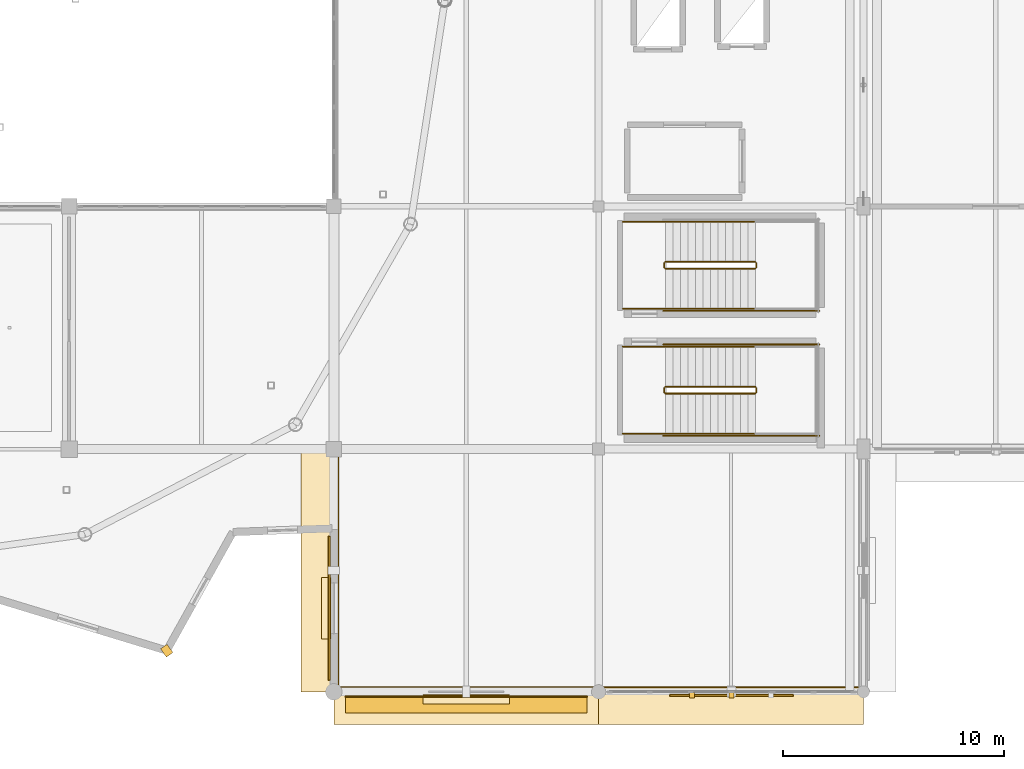
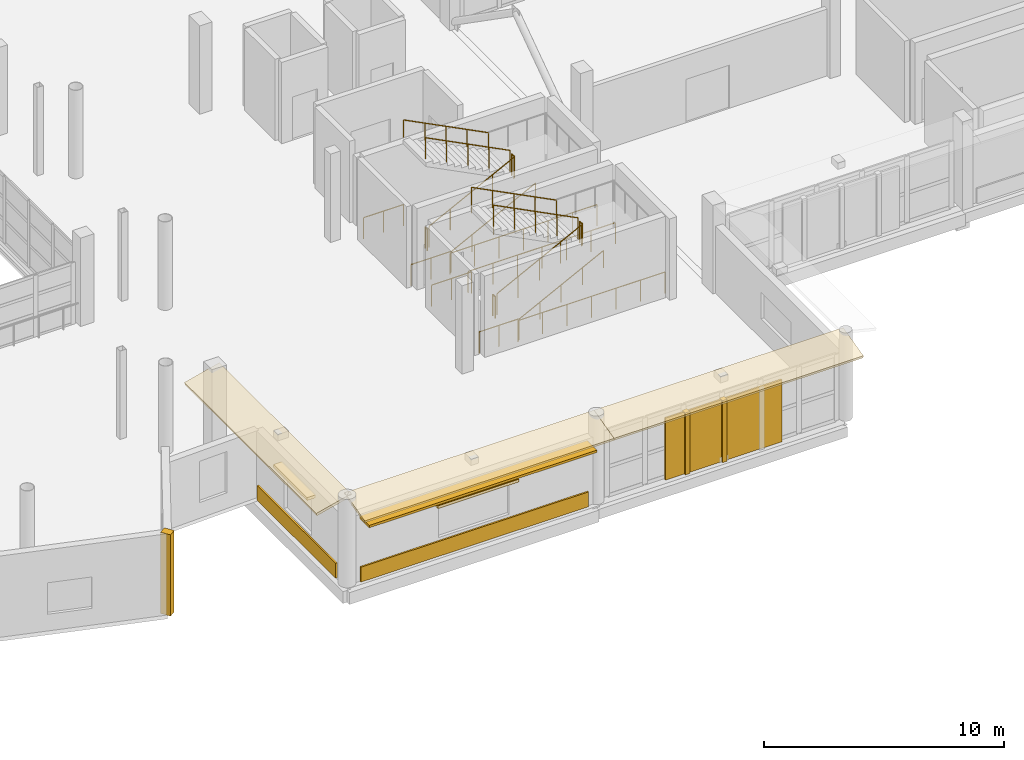
# One storey, part 109 of 118: 19 railings, 10 coverings, 2 shading devices.
"""IFC4 building model written with IfcOpenShell, lengths in metres."""

from ifc_helpers import new_model, si_unit, direction, frame, origin, origin_2d, place, context, subcontext, project, spatial, polyline, rectangle, circle, outline, extrude, material, layer, layer_set, type_object, element, save


model = new_model("IFC4")

# Units and contexts
model_context = context("Model", 3, precision=1e-05, world=origin(), true_north=direction((0.0, 1.0)))
body_context = subcontext(model_context, "Body", "Model", "MODEL_VIEW")
ifc_project = project(units=[si_unit("LENGTHUNIT", "METRE"), si_unit("AREAUNIT", "SQUARE_METRE"), si_unit("VOLUMEUNIT", "CUBIC_METRE"), si_unit("PLANEANGLEUNIT", "RADIAN"), si_unit("MASSUNIT", "GRAM", prefix="KILO")], contexts=[model_context])

# Site, building, storey
site_placement = place(None, origin())
site = spatial("IfcSite", under=ifc_project, at=site_placement, CompositionType="ELEMENT")
building_placement = place(site_placement, origin())
building = spatial("IfcBuilding", under=site, at=building_placement, Name="Luwafu Chhajja Arena", CompositionType="ELEMENT")
storey_placement = place(building_placement, frame((0.0, 0.0, 10.199951171875)))
storey = spatial("IfcBuildingStorey", under=building, at=storey_placement, Name="L02", CompositionType="ELEMENT", Elevation=10.199951171875)

# Coverings
ifc_material_1 = material(Name="Red laterite sandstone cladding", Category="masonry")
ifc_layer_1 = layer(ifc_material_1, 0.074951171875, Name="Red laterite sandstone cladding")
ifc_layer_set_1 = layer_set([ifc_layer_1], Name="Red laterite sandstone cladding")
covering_type = type_object("IfcCoveringType", Name="Dressed Red-Laterite Sandstone Cladding", PredefinedType="CLADDING", material=ifc_layer_set_1)
covering_1_placement = place(storey_placement, frame((132.427490234375, 1.864013671875, 0.0), z_axis=(0.0, 0.0, 1.0), x_axis=(0.574411104334, -0.818566969293, 0.0)))
element("IfcCovering", 1, at=covering_1_placement, inside=storey, type_object=covering_type, Name="L02 Pleated Bowl Sandstone Ridge Fin 28", PredefinedType="CLADDING", context=body_context, shape_type="SweptSolid", body=[
    extrude(rectangle(XDim=0.4599609375, YDim=0.360107421875, at=origin_2d()), origin(), (0.0, 0.0, 1.0), 4.135009765625),
])
covering_2_placement = place(storey_placement, frame((140.0, 0.199951171875, 4.4599609375), z_axis=(0.0, -0.242502450825, 0.970150793096), x_axis=(1.0, 0.0, 0.0)))
element("IfcCovering", 2, at=covering_2_placement, inside=storey, type_object=covering_type, Name="L02 Continuous Sloped Sandstone Chhajja Eave 0159", PredefinedType="CLADDING", context=body_context, shape_type="SweptSolid", body=[
    extrude(outline(polyline([(0.0, 0.0), (12.0, 0.0), (12.0, -1.731619097341133), (0.0, -1.731619097341133), (0.0, 0.0)])), origin(), (0.0, 0.0, -1.0), 0.1298828125),
])
covering_3_placement = place(storey_placement, frame((146.0, -0.2119140625, 0.0), z_axis=(0.0, 0.0, 1.0), x_axis=(1.0, 0.0, 0.0)))
element("IfcCovering", 3, at=covering_3_placement, inside=storey, type_object=covering_type, Name="L02 Red-Laterite Sandstone Plinth Cladding 060", PredefinedType="CLADDING", context=body_context, shape_type="SweptSolid", body=[
    extrude(rectangle(XDim=10.9599609375, YDim=0.0849609375, at=origin_2d()), origin(), (0.0, 0.0, 1.0), 0.760009765625),
])
covering_4_placement = place(storey_placement, frame((146.0, -0.340087890625, 2.68017578125), z_axis=(0.0, 0.0, 1.0), x_axis=(1.0, 0.0, 0.0)))
element("IfcCovering", 4, at=covering_4_placement, inside=storey, type_object=covering_type, Name="L02 Mughal Sandstone Window Chhajja Hood 0058", PredefinedType="CLADDING", context=body_context, shape_type="SweptSolid", body=[
    extrude(rectangle(XDim=3.89990234375, YDim=0.419921875, at=origin_2d()), origin(), (0.0, 0.0, 1.0), 0.139892578125),
])
covering_5_placement = place(storey_placement, frame((140.199951171875, 0.0, 4.4599609375), z_axis=(-0.242502450825, 0.0, 0.970150793096), x_axis=(0.0, 1.0, 0.0)))
element("IfcCovering", 5, at=covering_5_placement, inside=storey, type_object=covering_type, Name="L02 Continuous Sloped Sandstone Chhajja Eave 0160", PredefinedType="CLADDING", context=body_context, shape_type="SweptSolid", body=[
    extrude(outline(polyline([(0.0, 0.0), (11.0, 0.0), (11.0, 1.731619097341133), (0.0, 1.731619097341133), (0.0, 0.0)])), origin(), (0.0, 0.0, -1.0), 0.1298828125),
])
covering_6_placement = place(storey_placement, frame((139.7880859375, 3.7841796875, 0.0), z_axis=(0.0, 0.0, 1.0), x_axis=(0.0, 1.0, 0.0)))
element("IfcCovering", 6, at=covering_6_placement, inside=storey, type_object=covering_type, Name="L02 Red-Laterite Sandstone Plinth Cladding 061", PredefinedType="CLADDING", context=body_context, shape_type="SweptSolid", body=[
    extrude(rectangle(XDim=6.5283203125, YDim=0.0849609375, at=origin_2d()), origin(), (0.0, 0.0, 1.0), 0.760009765625),
])
covering_7_placement = place(storey_placement, frame((139.659912109375, 3.7841796875, 2.93017578125), z_axis=(0.0, 0.0, 1.0), x_axis=(0.0, 1.0, 0.0)))
element("IfcCovering", 7, at=covering_7_placement, inside=storey, type_object=covering_type, Name="L02 Mughal Sandstone Window Chhajja Hood 0059", PredefinedType="CLADDING", context=body_context, shape_type="SweptSolid", body=[
    extrude(rectangle(XDim=2.800048828125, YDim=0.419921875, at=origin_2d()), origin(), (0.0, 0.0, 1.0), 0.139892578125),
])
covering_8_placement = place(storey_placement, frame((152.0, 0.199951171875, 4.4599609375), z_axis=(0.0, -0.242502450825, 0.970150793096), x_axis=(1.0, 0.0, 0.0)))
element("IfcCovering", 8, at=covering_8_placement, inside=storey, type_object=covering_type, Name="L02 Continuous Sloped Sandstone Chhajja Eave 0161", PredefinedType="CLADDING", context=body_context, shape_type="SweptSolid", body=[
    extrude(outline(polyline([(0.0, 0.0), (12.0, 0.0), (12.0, -1.731619097341133), (0.0, -1.731619097341133), (0.0, 0.0)])), origin(), (0.0, 0.0, -1.0), 0.1298828125),
])
for number, where, z_axis, x_axis, name in (
    (9, (156.23291015625, -0.14990234375, 0.0), (0.0, 0.0, 1.0), (1.0, 0.0, 0.0), "L02 Sandstone Jali Mullion Fin 040"),
    (10, (158.02490234375, -0.14990234375, 0.0), (0.0, 0.0, 1.0), (1.0, 0.0, 0.0), "L02 Sandstone Jali Mullion Fin 040"),
):
    element("IfcCovering", number, at=place(storey_placement, frame(where, z_axis=z_axis, x_axis=x_axis)), inside=storey, type_object=covering_type, Name=name, PredefinedType="CLADDING", context=body_context, shape_type="SweptSolid", body=[
        extrude(rectangle(XDim=0.219970703125, YDim=0.239990234375, at=origin_2d()), origin(), (0.0, 0.0, 1.0), 3.155029296875),
    ])

# Shading devices
ifc_material_2 = material(Name="Pierced buff sandstone jali", Category="masonry")
ifc_layer_2 = layer(ifc_material_2, 0.080078125, Name="Pierced buff sandstone jali")
ifc_layer_set_2 = layer_set([ifc_layer_2], Name="Pierced buff sandstone jali")
shading_device_type_1 = type_object("IfcShadingDeviceType", Name="Pierced Buff-Sandstone Jali Screen", PredefinedType="JALOUSIE", material=ifc_layer_set_2)
shading_device_1_placement = place(storey_placement, frame((158.02490234375, -0.14990234375, 0.0), z_axis=(0.0, 0.0, 1.0), x_axis=(1.0, 0.0, 0.0)))
element("IfcShadingDevice", 11, at=shading_device_1_placement, inside=storey, type_object=shading_device_type_1, Name="L02 Pierced Buff-Sandstone Jali Screen 040", PredefinedType="JALOUSIE", context=body_context, shape_type="SweptSolid", body=[
    extrude(rectangle(XDim=5.60009765625, YDim=0.080078125, at=origin_2d()), origin(), (0.0, 0.0, 1.0), 3.155029296875),
])
ifc_material_3 = material(Name="Red laterite sandstone chhajja", Category="masonry")
ifc_layer_3 = layer(ifc_material_3, 0.1201171875, Name="Red laterite sandstone chhajja")
ifc_layer_set_3 = layer_set([ifc_layer_3], Name="Red laterite sandstone chhajja")
shading_device_type_2 = type_object("IfcShadingDeviceType", Name="Sloped Red-Sandstone Chhajja Eave", PredefinedType="USERDEFINED", material=ifc_layer_set_3)
shading_device_2_placement = place(storey_placement, frame((146.0, -0.5400390625, 3.18505859375), z_axis=(0.0, 0.0, 1.0), x_axis=(1.0, 0.0, 0.0)))
element("IfcShadingDevice", 12, at=shading_device_2_placement, inside=storey, type_object=shading_device_type_2, Name="L02 Sloped Red-Sandstone Chhajja Eave 056", ObjectType="CHHAJJA", PredefinedType="USERDEFINED", context=body_context, shape_type="SweptSolid", body=[
    extrude(rectangle(XDim=10.9599609375, YDim=0.820068359375, at=origin_2d()), origin(), (0.0, 0.0, 1.0), 0.1201171875),
])

# Railings
ifc_material_4 = material(Name="Stainless steel handrail", Category="steel")
railing_type_1 = type_object("IfcRailingType", Name="Stair Pitch Wall Handrail 920", PredefinedType="HANDRAIL", material=ifc_material_4)
railing_1_placement = place(storey_placement, frame((155.02001953125, 11.699951171875, 0.173095703125)))
element("IfcRailing", 13, at=railing_1_placement, inside=storey, type_object=railing_type_1, Name="L02 ST-03 stair handrail 1", PredefinedType="HANDRAIL", context=body_context, shape_type="SweptSolid", body=[
    extrude(circle(Radius=0.02392578125, at=origin_2d()), frame((0.0, 0.0, 0.8759765625), z_axis=(0.891183106714, 0.0, 0.453643770274), x_axis=(0.0, 1.0, 0.0)), (0.0, 0.0, 1.0), 4.578369140625),
    extrude(circle(Radius=0.02099609375, at=origin_2d()), origin(), (0.0, 0.0, 1.0), 0.851806640625),
    extrude(circle(Radius=0.02099609375, at=origin_2d()), frame((1.02001953125, 0.0, 0.519287109375)), (0.0, 0.0, 1.0), 0.851806640625),
    extrude(circle(Radius=0.02099609375, at=origin_2d()), frame((2.0400390625, 0.0, 1.03857421875)), (0.0, 0.0, 1.0), 0.851806640625),
    extrude(circle(Radius=0.02099609375, at=origin_2d()), frame((3.06005859375, 0.0, 1.5576171875)), (0.0, 0.0, 1.0), 0.851806640625),
    extrude(circle(Radius=0.02099609375, at=origin_2d()), frame((4.080078125, 0.0, 2.076904296875)), (0.0, 0.0, 1.0), 0.851806640625),
])
railing_2_placement = place(storey_placement, frame((159.10009765625, 15.639892578125, 2.423095703125)))
element("IfcRailing", 14, at=railing_2_placement, inside=storey, type_object=railing_type_1, Name="L02 ST-03 stair handrail 2", PredefinedType="HANDRAIL", context=body_context, shape_type="SweptSolid", body=[
    extrude(circle(Radius=0.02392578125, at=origin_2d()), frame((0.0, 0.0, 0.8759765625), z_axis=(-0.891183106714, 0.0, 0.453643770274), x_axis=(0.0, -1.0, 0.0)), (0.0, 0.0, 1.0), 4.578369140625),
    extrude(circle(Radius=0.02099609375, at=origin_2d()), origin(), (0.0, 0.0, 1.0), 0.851806640625),
    extrude(circle(Radius=0.02099609375, at=origin_2d()), frame((-1.02001953125, 0.0, 0.519287109375)), (0.0, 0.0, 1.0), 0.851806640625),
    extrude(circle(Radius=0.02099609375, at=origin_2d()), frame((-2.0400390625, 0.0, 1.03857421875)), (0.0, 0.0, 1.0), 0.851806640625),
    extrude(circle(Radius=0.02099609375, at=origin_2d()), frame((-3.06005859375, 0.0, 1.5576171875)), (0.0, 0.0, 1.0), 0.851806640625),
    extrude(circle(Radius=0.02099609375, at=origin_2d()), frame((-4.080078125, 0.0, 2.076904296875)), (0.0, 0.0, 1.0), 0.851806640625),
])
railing_3_placement = place(storey_placement, frame((155.02001953125, 17.360107421875, 0.173095703125)))
element("IfcRailing", 15, at=railing_3_placement, inside=storey, type_object=railing_type_1, Name="L02 ST-04 stair handrail 1", PredefinedType="HANDRAIL", context=body_context, shape_type="SweptSolid", body=[
    extrude(circle(Radius=0.02392578125, at=origin_2d()), frame((0.0, 0.0, 0.8759765625), z_axis=(0.891183106714, 0.0, 0.453643770274), x_axis=(0.0, 1.0, 0.0)), (0.0, 0.0, 1.0), 4.578369140625),
    extrude(circle(Radius=0.02099609375, at=origin_2d()), origin(), (0.0, 0.0, 1.0), 0.851806640625),
    extrude(circle(Radius=0.02099609375, at=origin_2d()), frame((1.02001953125, 0.0, 0.519287109375)), (0.0, 0.0, 1.0), 0.851806640625),
    extrude(circle(Radius=0.02099609375, at=origin_2d()), frame((2.0400390625, 0.0, 1.03857421875)), (0.0, 0.0, 1.0), 0.851806640625),
    extrude(circle(Radius=0.02099609375, at=origin_2d()), frame((3.06005859375, 0.0, 1.5576171875)), (0.0, 0.0, 1.0), 0.851806640625),
    extrude(circle(Radius=0.02099609375, at=origin_2d()), frame((4.080078125, 0.0, 2.076904296875)), (0.0, 0.0, 1.0), 0.851806640625),
])
railing_4_placement = place(storey_placement, frame((159.10009765625, 21.300048828125, 2.423095703125)))
element("IfcRailing", 16, at=railing_4_placement, inside=storey, type_object=railing_type_1, Name="L02 ST-04 stair handrail 2", PredefinedType="HANDRAIL", context=body_context, shape_type="SweptSolid", body=[
    extrude(circle(Radius=0.02392578125, at=origin_2d()), frame((0.0, 0.0, 0.8759765625), z_axis=(-0.891183106714, 0.0, 0.453643770274), x_axis=(0.0, -1.0, 0.0)), (0.0, 0.0, 1.0), 4.578369140625),
    extrude(circle(Radius=0.02099609375, at=origin_2d()), origin(), (0.0, 0.0, 1.0), 0.851806640625),
    extrude(circle(Radius=0.02099609375, at=origin_2d()), frame((-1.02001953125, 0.0, 0.519287109375)), (0.0, 0.0, 1.0), 0.851806640625),
    extrude(circle(Radius=0.02099609375, at=origin_2d()), frame((-2.0400390625, 0.0, 1.03857421875)), (0.0, 0.0, 1.0), 0.851806640625),
    extrude(circle(Radius=0.02099609375, at=origin_2d()), frame((-3.06005859375, 0.0, 1.5576171875)), (0.0, 0.0, 1.0), 0.851806640625),
    extrude(circle(Radius=0.02099609375, at=origin_2d()), frame((-4.080078125, 0.0, 2.076904296875)), (0.0, 0.0, 1.0), 0.851806640625),
])
ifc_material_5 = material(Name="Stainless steel balustrade", Category="steel")
railing_type_2 = type_object("IfcRailingType", Name="Stair and Terrace Guard Balustrade 1100", PredefinedType="BALUSTRADE", material=ifc_material_5)
railing_5_placement = place(storey_placement, frame((155.02001953125, 13.52001953125, 0.173095703125)))
element("IfcRailing", 17, at=railing_5_placement, inside=storey, type_object=railing_type_2, Name="L02 ST-03 stair guard 1", PredefinedType="BALUSTRADE", context=body_context, shape_type="SweptSolid", body=[
    extrude(circle(Radius=0.02392578125, at=origin_2d()), frame((0.0, 0.0, 1.076171875), z_axis=(0.891183106714, 0.0, 0.453643770274), x_axis=(0.0, 1.0, 0.0)), (0.0, 0.0, 1.0), 4.578369140625),
    extrude(circle(Radius=0.02099609375, at=origin_2d()), origin(), (0.0, 0.0, 1.0), 1.052001953125),
    extrude(circle(Radius=0.02099609375, at=origin_2d()), frame((1.02001953125, 0.0, 0.519287109375)), (0.0, 0.0, 1.0), 1.052001953125),
    extrude(circle(Radius=0.02099609375, at=origin_2d()), frame((2.0400390625, 0.0, 1.03857421875)), (0.0, 0.0, 1.0), 1.052001953125),
    extrude(circle(Radius=0.02099609375, at=origin_2d()), frame((3.06005859375, 0.0, 1.5576171875)), (0.0, 0.0, 1.0), 1.052001953125),
    extrude(circle(Radius=0.02099609375, at=origin_2d()), frame((4.080078125, 0.0, 2.076904296875)), (0.0, 0.0, 1.0), 1.052001953125),
])
railing_6_placement = place(storey_placement, frame((159.14990234375, 13.570068359375, 2.25)))
element("IfcRailing", 18, at=railing_6_placement, inside=storey, type_object=railing_type_2, Name="L02 ST-03 stair guard 2", PredefinedType="BALUSTRADE", context=body_context, shape_type="SweptSolid", body=[
    extrude(circle(Radius=0.02392578125, at=origin_2d()), frame((0.0, 0.0, 1.076171875), z_axis=(0.0, 1.0, 0.0), x_axis=(-1.0, 0.0, 0.0)), (0.0, 0.0, 1.0), 0.199951171875),
    extrude(circle(Radius=0.02099609375, at=origin_2d()), origin(), (0.0, 0.0, 1.0), 1.052001953125),
    extrude(circle(Radius=0.02099609375, at=origin_2d()), frame((0.0, 0.199951171875, 0.0)), (0.0, 0.0, 1.0), 1.052001953125),
])
railing_7_placement = place(storey_placement, frame((159.10009765625, 13.820068359375, 2.423095703125)))
element("IfcRailing", 19, at=railing_7_placement, inside=storey, type_object=railing_type_2, Name="L02 ST-03 stair guard 6", PredefinedType="BALUSTRADE", context=body_context, shape_type="SweptSolid", body=[
    extrude(circle(Radius=0.02392578125, at=origin_2d()), frame((0.0, 0.0, 1.076171875), z_axis=(-0.891183106714, 0.0, 0.453643770274), x_axis=(0.0, -1.0, 0.0)), (0.0, 0.0, 1.0), 4.578369140625),
    extrude(circle(Radius=0.02099609375, at=origin_2d()), origin(), (0.0, 0.0, 1.0), 1.052001953125),
    extrude(circle(Radius=0.02099609375, at=origin_2d()), frame((-1.02001953125, 0.0, 0.519287109375)), (0.0, 0.0, 1.0), 1.052001953125),
    extrude(circle(Radius=0.02099609375, at=origin_2d()), frame((-2.0400390625, 0.0, 1.03857421875)), (0.0, 0.0, 1.0), 1.052001953125),
    extrude(circle(Radius=0.02099609375, at=origin_2d()), frame((-3.06005859375, 0.0, 1.5576171875)), (0.0, 0.0, 1.0), 1.052001953125),
    extrude(circle(Radius=0.02099609375, at=origin_2d()), frame((-4.080078125, 0.0, 2.076904296875)), (0.0, 0.0, 1.0), 1.052001953125),
])
railing_8_placement = place(storey_placement, frame((154.969970703125, 13.570068359375, 0.0)))
element("IfcRailing", 20, at=railing_8_placement, inside=storey, type_object=railing_type_2, Name="L02 ST-03 stair guard 7", PredefinedType="BALUSTRADE", context=body_context, shape_type="SweptSolid", body=[
    extrude(circle(Radius=0.02392578125, at=origin_2d()), frame((0.0, 0.0, 1.076171875), z_axis=(0.0, 1.0, 0.0), x_axis=(-1.0, 0.0, 0.0)), (0.0, 0.0, 1.0), 0.199951171875),
    extrude(circle(Radius=0.02099609375, at=origin_2d()), origin(), (0.0, 0.0, 1.0), 1.052001953125),
    extrude(circle(Radius=0.02099609375, at=origin_2d()), frame((0.0, 0.199951171875, 0.0)), (0.0, 0.0, 1.0), 1.052001953125),
])
for number, where, name in (
    (21, (153.10009765625, 11.699951171875, 0.0), "L02 ST-03 stair guard 8"),
    (22, (153.10009765625, 15.639892578125, 0.0), "L02 ST-03 stair guard 9"),
):
    element("IfcRailing", number, at=place(storey_placement, frame(where)), inside=storey, type_object=railing_type_2, Name=name, PredefinedType="BALUSTRADE", context=body_context, shape_type="SweptSolid", body=[
        extrude(circle(Radius=0.02392578125, at=origin_2d()), frame((0.0, 0.0, 1.076171875), z_axis=(1.0, 0.0, 0.0), x_axis=(0.0, 1.0, 0.0)), (0.0, 0.0, 1.0), 1.919921875),
        extrude(circle(Radius=0.02099609375, at=origin_2d()), origin(), (0.0, 0.0, 1.0), 1.052001953125),
        extrude(circle(Radius=0.02099609375, at=origin_2d()), frame((0.9599609375, 0.0, 0.0)), (0.0, 0.0, 1.0), 1.052001953125),
        extrude(circle(Radius=0.02099609375, at=origin_2d()), frame((1.919921875, 0.0, 0.0)), (0.0, 0.0, 1.0), 1.052001953125),
    ])
for number, where, name in (
    (23, (154.919921875, 11.60009765625, 0.0), "L02 ST-03 stair guard 10"),
    (24, (154.919921875, 15.739990234375, 0.0), "L02 ST-03 stair guard 11"),
):
    element("IfcRailing", number, at=place(storey_placement, frame(where)), inside=storey, type_object=railing_type_2, Name=name, PredefinedType="BALUSTRADE", context=body_context, shape_type="SweptSolid", body=[
        extrude(circle(Radius=0.02392578125, at=origin_2d()), frame((0.0, 0.0, 1.076171875), z_axis=(1.0, 0.0, 0.0), x_axis=(0.0, 1.0, 0.0)), (0.0, 0.0, 1.0), 7.080078125),
        extrude(circle(Radius=0.02099609375, at=origin_2d()), origin(), (0.0, 0.0, 1.0), 1.052001953125),
        extrude(circle(Radius=0.02099609375, at=origin_2d()), frame((1.179931640625, 0.0, 0.0)), (0.0, 0.0, 1.0), 1.052001953125),
        extrude(circle(Radius=0.02099609375, at=origin_2d()), frame((2.360107421875, 0.0, 0.0)), (0.0, 0.0, 1.0), 1.052001953125),
        extrude(circle(Radius=0.02099609375, at=origin_2d()), frame((3.5400390625, 0.0, 0.0)), (0.0, 0.0, 1.0), 1.052001953125),
        extrude(circle(Radius=0.02099609375, at=origin_2d()), frame((4.719970703125, 0.0, 0.0)), (0.0, 0.0, 1.0), 1.052001953125),
        extrude(circle(Radius=0.02099609375, at=origin_2d()), frame((5.900146484375, 0.0, 0.0)), (0.0, 0.0, 1.0), 1.052001953125),
        extrude(circle(Radius=0.02099609375, at=origin_2d()), frame((7.080078125, 0.0, 0.0)), (0.0, 0.0, 1.0), 1.052001953125),
    ])
railing_9_placement = place(storey_placement, frame((155.02001953125, 19.179931640625, 0.173095703125)))
element("IfcRailing", 25, at=railing_9_placement, inside=storey, type_object=railing_type_2, Name="L02 ST-04 stair guard 1", PredefinedType="BALUSTRADE", context=body_context, shape_type="SweptSolid", body=[
    extrude(circle(Radius=0.02392578125, at=origin_2d()), frame((0.0, 0.0, 1.076171875), z_axis=(0.891183106714, 0.0, 0.453643770274), x_axis=(0.0, 1.0, 0.0)), (0.0, 0.0, 1.0), 4.578369140625),
    extrude(circle(Radius=0.02099609375, at=origin_2d()), origin(), (0.0, 0.0, 1.0), 1.052001953125),
    extrude(circle(Radius=0.02099609375, at=origin_2d()), frame((1.02001953125, 0.0, 0.519287109375)), (0.0, 0.0, 1.0), 1.052001953125),
    extrude(circle(Radius=0.02099609375, at=origin_2d()), frame((2.0400390625, 0.0, 1.03857421875)), (0.0, 0.0, 1.0), 1.052001953125),
    extrude(circle(Radius=0.02099609375, at=origin_2d()), frame((3.06005859375, 0.0, 1.5576171875)), (0.0, 0.0, 1.0), 1.052001953125),
    extrude(circle(Radius=0.02099609375, at=origin_2d()), frame((4.080078125, 0.0, 2.076904296875)), (0.0, 0.0, 1.0), 1.052001953125),
])
railing_10_placement = place(storey_placement, frame((159.14990234375, 19.22998046875, 2.25)))
element("IfcRailing", 26, at=railing_10_placement, inside=storey, type_object=railing_type_2, Name="L02 ST-04 stair guard 2", PredefinedType="BALUSTRADE", context=body_context, shape_type="SweptSolid", body=[
    extrude(circle(Radius=0.02392578125, at=origin_2d()), frame((0.0, 0.0, 1.076171875), z_axis=(0.0, 1.0, 0.0), x_axis=(-1.0, 0.0, 0.0)), (0.0, 0.0, 1.0), 0.199951171875),
    extrude(circle(Radius=0.02099609375, at=origin_2d()), origin(), (0.0, 0.0, 1.0), 1.052001953125),
    extrude(circle(Radius=0.02099609375, at=origin_2d()), frame((0.0, 0.199951171875, 0.0)), (0.0, 0.0, 1.0), 1.052001953125),
])
railing_11_placement = place(storey_placement, frame((159.10009765625, 19.47998046875, 2.423095703125)))
element("IfcRailing", 27, at=railing_11_placement, inside=storey, type_object=railing_type_2, Name="L02 ST-04 stair guard 6", PredefinedType="BALUSTRADE", context=body_context, shape_type="SweptSolid", body=[
    extrude(circle(Radius=0.02392578125, at=origin_2d()), frame((0.0, 0.0, 1.076171875), z_axis=(-0.891183106714, 0.0, 0.453643770274), x_axis=(0.0, -1.0, 0.0)), (0.0, 0.0, 1.0), 4.578369140625),
    extrude(circle(Radius=0.02099609375, at=origin_2d()), origin(), (0.0, 0.0, 1.0), 1.052001953125),
    extrude(circle(Radius=0.02099609375, at=origin_2d()), frame((-1.02001953125, 0.0, 0.519287109375)), (0.0, 0.0, 1.0), 1.052001953125),
    extrude(circle(Radius=0.02099609375, at=origin_2d()), frame((-2.0400390625, 0.0, 1.03857421875)), (0.0, 0.0, 1.0), 1.052001953125),
    extrude(circle(Radius=0.02099609375, at=origin_2d()), frame((-3.06005859375, 0.0, 1.5576171875)), (0.0, 0.0, 1.0), 1.052001953125),
    extrude(circle(Radius=0.02099609375, at=origin_2d()), frame((-4.080078125, 0.0, 2.076904296875)), (0.0, 0.0, 1.0), 1.052001953125),
])
railing_12_placement = place(storey_placement, frame((154.969970703125, 19.22998046875, 0.0)))
element("IfcRailing", 28, at=railing_12_placement, inside=storey, type_object=railing_type_2, Name="L02 ST-04 stair guard 7", PredefinedType="BALUSTRADE", context=body_context, shape_type="SweptSolid", body=[
    extrude(circle(Radius=0.02392578125, at=origin_2d()), frame((0.0, 0.0, 1.076171875), z_axis=(0.0, 1.0, 0.0), x_axis=(-1.0, 0.0, 0.0)), (0.0, 0.0, 1.0), 0.199951171875),
    extrude(circle(Radius=0.02099609375, at=origin_2d()), origin(), (0.0, 0.0, 1.0), 1.052001953125),
    extrude(circle(Radius=0.02099609375, at=origin_2d()), frame((0.0, 0.199951171875, 0.0)), (0.0, 0.0, 1.0), 1.052001953125),
])
for number, where, name in (
    (29, (153.10009765625, 17.360107421875, 0.0), "L02 ST-04 stair guard 8"),
    (30, (153.10009765625, 21.300048828125, 0.0), "L02 ST-04 stair guard 9"),
):
    element("IfcRailing", number, at=place(storey_placement, frame(where)), inside=storey, type_object=railing_type_2, Name=name, PredefinedType="BALUSTRADE", context=body_context, shape_type="SweptSolid", body=[
        extrude(circle(Radius=0.02392578125, at=origin_2d()), frame((0.0, 0.0, 1.076171875), z_axis=(1.0, 0.0, 0.0), x_axis=(0.0, 1.0, 0.0)), (0.0, 0.0, 1.0), 1.919921875),
        extrude(circle(Radius=0.02099609375, at=origin_2d()), origin(), (0.0, 0.0, 1.0), 1.052001953125),
        extrude(circle(Radius=0.02099609375, at=origin_2d()), frame((0.9599609375, 0.0, 0.0)), (0.0, 0.0, 1.0), 1.052001953125),
        extrude(circle(Radius=0.02099609375, at=origin_2d()), frame((1.919921875, 0.0, 0.0)), (0.0, 0.0, 1.0), 1.052001953125),
    ])
railing_13_placement = place(storey_placement, frame((154.919921875, 17.260009765625, 0.0)))
element("IfcRailing", 31, at=railing_13_placement, inside=storey, type_object=railing_type_2, Name="L02 ST-04 stair guard 10", PredefinedType="BALUSTRADE", context=body_context, shape_type="SweptSolid", body=[
    extrude(circle(Radius=0.02392578125, at=origin_2d()), frame((0.0, 0.0, 1.076171875), z_axis=(1.0, 0.0, 0.0), x_axis=(0.0, 1.0, 0.0)), (0.0, 0.0, 1.0), 7.080078125),
    extrude(circle(Radius=0.02099609375, at=origin_2d()), origin(), (0.0, 0.0, 1.0), 1.052001953125),
    extrude(circle(Radius=0.02099609375, at=origin_2d()), frame((1.179931640625, 0.0, 0.0)), (0.0, 0.0, 1.0), 1.052001953125),
    extrude(circle(Radius=0.02099609375, at=origin_2d()), frame((2.360107421875, 0.0, 0.0)), (0.0, 0.0, 1.0), 1.052001953125),
    extrude(circle(Radius=0.02099609375, at=origin_2d()), frame((3.5400390625, 0.0, 0.0)), (0.0, 0.0, 1.0), 1.052001953125),
    extrude(circle(Radius=0.02099609375, at=origin_2d()), frame((4.719970703125, 0.0, 0.0)), (0.0, 0.0, 1.0), 1.052001953125),
    extrude(circle(Radius=0.02099609375, at=origin_2d()), frame((5.900146484375, 0.0, 0.0)), (0.0, 0.0, 1.0), 1.052001953125),
    extrude(circle(Radius=0.02099609375, at=origin_2d()), frame((7.080078125, 0.0, 0.0)), (0.0, 0.0, 1.0), 1.052001953125),
])

save(model, "model.ifc")
